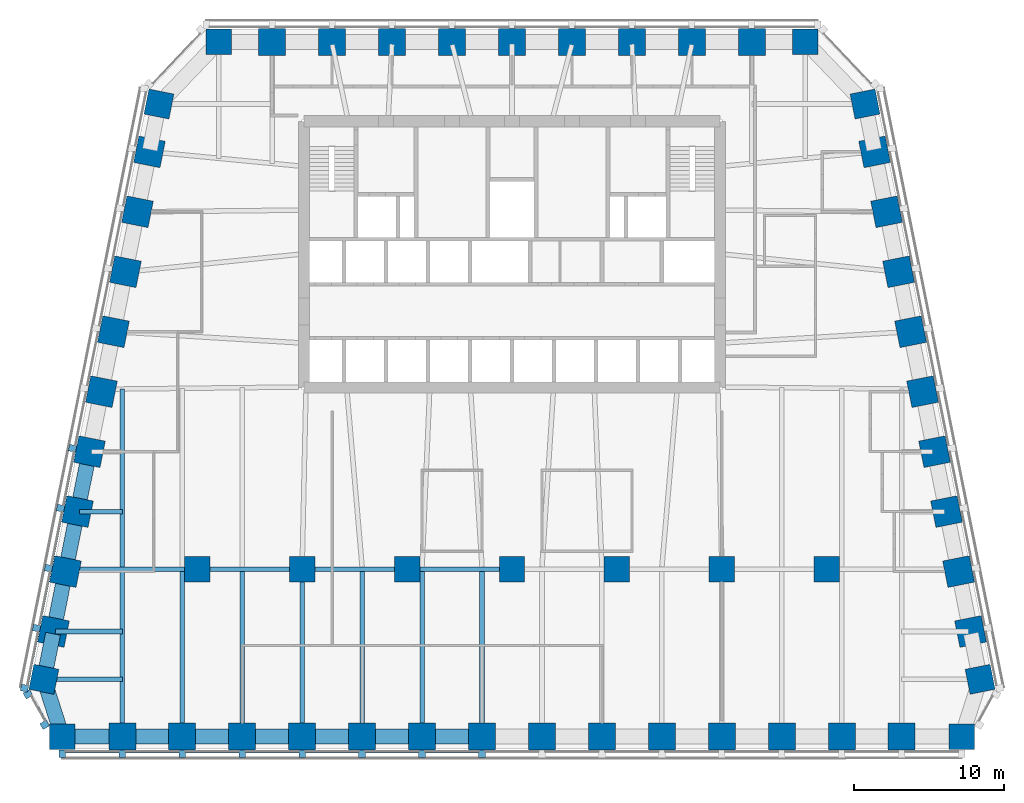
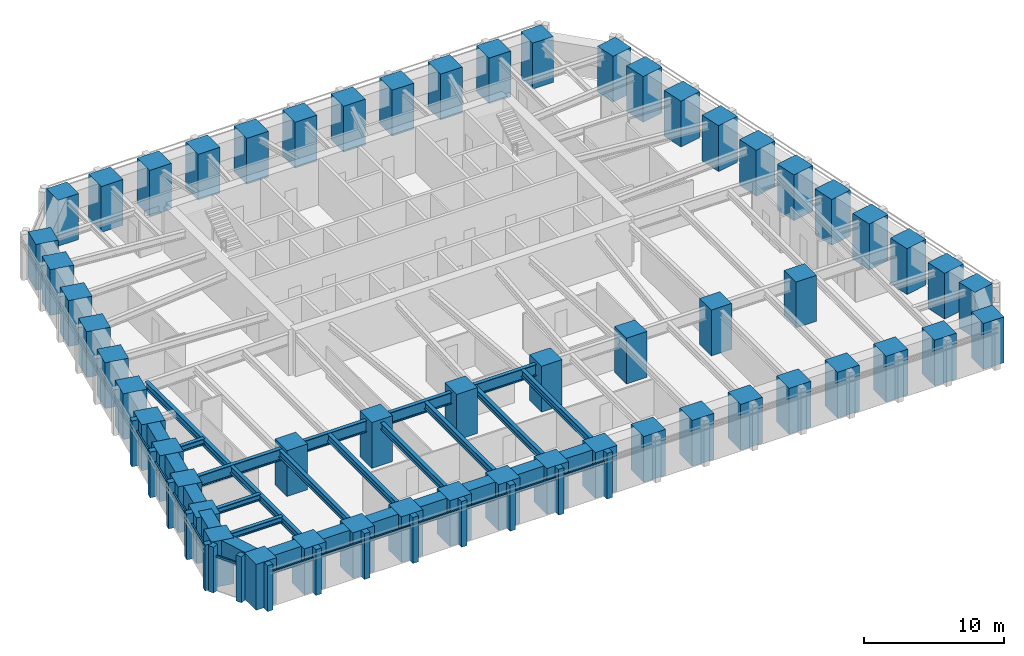
# One storey, part 1 of 10: 56 columns, 27 beams, 27 members, 3 elements without a shape of their own.
"""IFC4 building model written with IfcOpenShell, lengths in metres."""

import ifcopenshell
import ifcopenshell.guid

model = None  # the IFC model being written
_history = None  # IfcOwnerHistory: only IFC2X3 demands one
_inside = {}  # id of a spatial element -> (the spatial element, [elements in it])
_under = {}  # id of a project, library or spatial element -> (it, [spatial elements below it])
_declared = {}  # id of a project -> (the project, [libraries it declares])
_typed = {}  # id of a type object -> (the type object, [elements of that type])
_made_of = {}  # id of a material, layer set ... -> (it, [elements and type objects made of it])


def new_model(schema):
    """Start an empty IFC model of exactly this schema.

    Asked for "IFC4X3", IfcOpenShell would pick the latest addendum, in which some entities
    have other attributes; the version numbers below select the first issue.
    IFC2X3 requires an IfcOwnerHistory on every rooted entity: one is made here for all.
    """
    global model, _history
    if schema == "IFC4X3":
        model = ifcopenshell.file(schema_version=(4, 3, 0, 0))
    else:
        model = ifcopenshell.file(schema=schema)
    _inside.clear()
    _under.clear()
    _declared.clear()
    _typed.clear()
    _made_of.clear()
    _history = None
    if model.schema == "IFC2X3":
        org = make("IfcOrganization", Name="unknown")
        user = make(
            "IfcPersonAndOrganization",
            ThePerson=make("IfcPerson", FamilyName="unknown"),
            TheOrganization=org,
        )
        app = make(
            "IfcApplication",
            ApplicationDeveloper=org,
            Version="unknown",
            ApplicationFullName="unknown",
            ApplicationIdentifier="unknown",
        )
        _history = make(
            "IfcOwnerHistory",
            OwningUser=user,
            OwningApplication=app,
            ChangeAction="ADDED",
            CreationDate=0,
        )
    return model


def make(cls, **values):
    """One entity of the class cls with the attributes given. An attribute that is None is left unset."""
    return model.create_entity(
        cls, **{name: value for name, value in values.items() if value is not None}
    )


def rooted(cls, **values):
    """An entity with a GlobalId (a new one), such as an element, a storey or a relation."""
    return make(cls, GlobalId=ifcopenshell.guid.new(), OwnerHistory=_history, **values)


def si_unit(unit_type, name, prefix=None):
    """IfcSIUnit, for example si_unit("LENGTHUNIT", "METRE", prefix="MILLI")."""
    return make("IfcSIUnit", UnitType=unit_type, Prefix=prefix, Name=name)


def assignment(units):
    """IfcUnitAssignment: the units of a project."""
    return None if units is None else make("IfcUnitAssignment", Units=units)


def point(xyz):
    """IfcCartesianPoint."""
    return None if xyz is None else make("IfcCartesianPoint", Coordinates=xyz)


def direction(xyz):
    """IfcDirection."""
    return None if xyz is None else make("IfcDirection", DirectionRatios=xyz)


def frame(location, z_axis=None, x_axis=None):
    """IfcAxis2Placement3D, a coordinate frame: its origin and axes. An axis left out is left unset."""
    return make(
        "IfcAxis2Placement3D",
        Location=point(location),
        Axis=direction(z_axis),
        RefDirection=direction(x_axis),
    )


def frame_2d(location, x_axis=None):
    """IfcAxis2Placement2D, a coordinate frame in the plane: its origin and x axis."""
    return make(
        "IfcAxis2Placement2D", Location=point(location), RefDirection=direction(x_axis)
    )


def origin():
    """The frame at (0, 0, 0) with its axes left unset."""
    return frame((0.0, 0.0, 0.0))


def origin_2d():
    """The frame at (0, 0) in the plane with its x axis left unset."""
    return frame_2d((0.0, 0.0))


def place(relative_to, where):
    """IfcLocalPlacement: puts the frame where relative to a parent placement (None: the world)."""
    return make(
        "IfcLocalPlacement", PlacementRelTo=relative_to, RelativePlacement=where
    )


def context(
    kind, dimensions, precision=None, world=None, true_north=None, identifier=None
):
    """IfcGeometricRepresentationContext, for example the 3D "Model" context."""
    return make(
        "IfcGeometricRepresentationContext",
        ContextIdentifier=identifier,
        ContextType=kind,
        CoordinateSpaceDimension=dimensions,
        Precision=precision,
        WorldCoordinateSystem=world,
        TrueNorth=true_north,
    )


def subcontext(parent, identifier, kind, view, scale=None):
    """IfcGeometricRepresentationSubContext, for example "Body" below "Model"."""
    return make(
        "IfcGeometricRepresentationSubContext",
        ContextIdentifier=identifier,
        ContextType=kind,
        ParentContext=parent,
        TargetScale=scale,
        TargetView=view,
    )


def project(units=None, contexts=None):
    """IfcProject with its units and contexts."""
    return rooted(
        "IfcProject",
        Name="project",
        RepresentationContexts=contexts,
        UnitsInContext=assignment(units),
    )


def spatial(cls, under=None, at=None, **own):
    """A site, building, storey or space (cls), placed at a placement, below another one or the project."""
    s = rooted(cls, ObjectPlacement=at, **own)
    if under is not None:
        _under.setdefault(under.id(), (under, []))[1].append(s)
    return s


def profile(cls, at=None, kind="AREA", **sizes):
    """A parametric profile (cls). Its sizes go by their IFC names, for example OverallWidth=200.0."""
    return make(cls, ProfileType=kind, Position=at, **sizes)


def rectangle(**sizes):
    """IfcRectangleProfileDef."""
    return profile("IfcRectangleProfileDef", **sizes)


def i_section(**sizes):
    """IfcIShapeProfileDef."""
    return profile("IfcIShapeProfileDef", **sizes)


def extrude(swept, where, along, depth):
    """IfcExtrudedAreaSolid: the profile swept, set in the frame where, extruded along a direction by depth."""
    return make(
        "IfcExtrudedAreaSolid",
        SweptArea=swept,
        Position=where,
        ExtrudedDirection=direction(along),
        Depth=depth,
    )


def shape(context_of_items, identifier, shape_type, items):
    """IfcShapeRepresentation: the items that make up one representation, for example the "Body"."""
    return make(
        "IfcShapeRepresentation",
        ContextOfItems=context_of_items,
        RepresentationIdentifier=identifier,
        RepresentationType=shape_type,
        Items=items,
    )


def material(Name=None, Category=None):
    """IfcMaterial."""
    return make("IfcMaterial", Name=Name, Category=Category)


def material_profile(
    of_material, cross_section, Name=None, Category=None, Priority=None
):
    """IfcMaterialProfile: a cross section and its material."""
    return make(
        "IfcMaterialProfile",
        Name=Name,
        Material=of_material,
        Profile=cross_section,
        Priority=Priority,
        Category=Category,
    )


def profile_set(profiles, Name=None, composite=None):
    """IfcMaterialProfileSet."""
    return make(
        "IfcMaterialProfileSet",
        Name=Name,
        MaterialProfiles=profiles,
        CompositeProfile=composite,
    )


def made_of(thing, what):
    """Note that an element or type object is made of a material, layer set ...; save() writes the relation."""
    if what is not None:
        _made_of.setdefault(what.id(), (what, []))[1].append(thing)
    return thing


def type_object(cls, material=None, **own):
    """A type object (cls), such as IfcWallType, which elements share."""
    return made_of(rooted(cls, **own), material)


def element(
    cls,
    number,
    at=None,
    inside=None,
    cuts=None,
    type_object=None,
    material=None,
    context=None,
    identifier="Body",
    shape_type=None,
    held_by="IfcProductDefinitionShape",
    body=None,
    shapes=None,
    **own,
):
    """One element of the class cls, such as IfcWall. Its Tag is "e" and its number.

    at: its placement. inside: the storey or other place that contains it. cuts: it is an
    opening in that element (IfcRelVoidsElement). A single representation is given by context,
    identifier, shape_type and body (its items); several are given by shapes. held_by: the class
    of the entity that holds the representations. save() writes the other relations.
    """
    e = rooted(cls, Tag="e%d" % number, ObjectPlacement=at, **own)
    if body is not None:
        shapes = [shape(context, identifier, shape_type, body)]
    if shapes is not None:
        e.Representation = make(held_by, Representations=shapes)
    if inside is not None:
        _inside.setdefault(inside.id(), (inside, []))[1].append(e)
    if cuts is not None:
        rooted(
            "IfcRelVoidsElement", RelatingBuildingElement=cuts, RelatedOpeningElement=e
        )
    if type_object is not None:
        _typed.setdefault(type_object.id(), (type_object, []))[1].append(e)
    return made_of(e, material)


def aggregate(whole, parts):
    """IfcRelAggregates: a whole, such as a stair, and the parts it consists of."""
    return rooted("IfcRelAggregates", RelatingObject=whole, RelatedObjects=parts)


def save(model, path):
    """Write the relations noted so far, then the file.

    IfcRelAggregates (storeys below a building ...), IfcRelContainedInSpatialStructure (elements
    in a storey), IfcRelDefinesByType, IfcRelAssociatesMaterial and IfcRelDeclares: one each for
    every whole, place, type object, material and project.
    """
    for whole, parts in _under.values():
        aggregate(whole, parts)
    for where, things in _inside.values():
        rooted(
            "IfcRelContainedInSpatialStructure",
            RelatedElements=things,
            RelatingStructure=where,
        )
    for kind, things in _typed.values():
        rooted("IfcRelDefinesByType", RelatedObjects=things, RelatingType=kind)
    for what, things in _made_of.values():
        rooted("IfcRelAssociatesMaterial", RelatedObjects=things, RelatingMaterial=what)
    for by, libraries in _declared.values():
        rooted("IfcRelDeclares", RelatingContext=by, RelatedDefinitions=libraries)
    model.write(path)


model = new_model("IFC4")

# Units and contexts
model_context = context("Model", 3, precision=1e-05, world=origin(), true_north=direction((0.0, 1.0)))
body_context = subcontext(model_context, "Body", "Model", "MODEL_VIEW")
ifc_project = project(units=[si_unit("LENGTHUNIT", "METRE"), si_unit("AREAUNIT", "SQUARE_METRE"), si_unit("VOLUMEUNIT", "CUBIC_METRE"), si_unit("PLANEANGLEUNIT", "RADIAN"), si_unit("MASSUNIT", "GRAM", prefix="KILO")], contexts=[model_context])

# Site, building, storey
site_placement = place(None, origin())
site = spatial("IfcSite", under=ifc_project, at=site_placement, CompositionType="ELEMENT")
building_placement = place(site_placement, origin())
building = spatial("IfcBuilding", under=site, at=building_placement, Name="Isbrekke Arena Tower", CompositionType="ELEMENT")
storey_placement = place(building_placement, frame((0.0, 0.0, 163.0)))
storey = spatial("IfcBuildingStorey", under=building, at=storey_placement, Name="L37", CompositionType="ELEMENT", Elevation=163.0)

# Columns
ifc_material_1 = material(Name="Concrete B80 (C80/95)", Category="concrete")
ifc_material_profile_1 = material_profile(ifc_material_1, rectangle(XDim=1.699951171875, YDim=1.699951171875, at=origin_2d()), Name="RC 1700x1700")
ifc_profile_set_1 = profile_set([ifc_material_profile_1], Name="Concrete B80 (C80/95)")
column_type_1 = type_object("IfcColumnType", Name="C12 RC 1700 x 1700", PredefinedType="COLUMN", material=ifc_profile_set_1)
for number, where, z_axis, x_axis, name in (
    (1, (-21.0, -6.0, 0.0), (0.0, 0.0, 1.0), (1.0, 0.0, 0.0), "C12 I01"),
    (2, (-14.0, -6.0, 0.0), (0.0, 0.0, 1.0), (1.0, 0.0, 0.0), "C12 I02"),
    (3, (-7.0, -6.0, 0.0), (0.0, 0.0, 1.0), (1.0, 0.0, 0.0), "C12 I03"),
    (4, (0.0, -6.0, 0.0), (0.0, 0.0, 1.0), (1.0, 0.0, 0.0), "C12 I04"),
    (5, (7.0, -6.0, 0.0), (0.0, 0.0, 1.0), (1.0, 0.0, 0.0), "C12 I05"),
    (6, (14.0, -6.0, 0.0), (0.0, 0.0, 1.0), (1.0, 0.0, 0.0), "C12 I06"),
    (7, (21.0, -6.0, 0.0), (0.0, 0.0, 1.0), (1.0, 0.0, 0.0), "C12 I07"),
):
    element("IfcColumn", number, at=place(storey_placement, frame(where, z_axis=z_axis, x_axis=x_axis)), inside=storey, type_object=column_type_1, Name=name, PredefinedType="COLUMN", context=body_context, shape_type="SweptSolid", body=[
        extrude(rectangle(XDim=1.699951171875, YDim=1.699951171875, at=origin_2d()), origin(), (0.0, 0.0, 1.0), 4.0),
    ])
ifc_material_2 = material(Name="Concrete B80 (C80/95)", Category="concrete")
ifc_material_profile_2 = material_profile(ifc_material_2, rectangle(XDim=1.800048828125, YDim=1.800048828125, at=origin_2d()), Name="RC 1800x1800")
ifc_profile_set_2 = profile_set([ifc_material_profile_2], Name="Concrete B80 (C80/95)")
column_type_2 = type_object("IfcColumnType", Name="C3 RC 1800 x 1800", PredefinedType="COLUMN", material=ifc_profile_set_2)
for number, where, z_axis, x_axis, name in (
    (8, (-26.0, -17.175048828125, 0.0), (0.0, 0.0, 1.0), (1.0, 0.0, 0.0), "C3 S02"),
    (9, (-22.0, -17.175048828125, 0.0), (0.0, 0.0, 1.0), (1.0, 0.0, 0.0), "C3 S03"),
    (10, (-18.0, -17.175048828125, 0.0), (0.0, 0.0, 1.0), (1.0, 0.0, 0.0), "C3 S04"),
    (11, (-14.0, -17.175048828125, 0.0), (0.0, 0.0, 1.0), (1.0, 0.0, 0.0), "C3 S05"),
    (12, (-10.0, -17.175048828125, 0.0), (0.0, 0.0, 1.0), (1.0, 0.0, 0.0), "C3 S06"),
    (13, (-6.0, -17.175048828125, 0.0), (0.0, 0.0, 1.0), (1.0, 0.0, 0.0), "C3 S07"),
    (14, (-2.0, -17.175048828125, 0.0), (0.0, 0.0, 1.0), (1.0, 0.0, 0.0), "C3 S08"),
    (15, (2.0, -17.175048828125, 0.0), (0.0, 0.0, 1.0), (1.0, 0.0, 0.0), "C3 S09"),
    (16, (6.0, -17.175048828125, 0.0), (0.0, 0.0, 1.0), (1.0, 0.0, 0.0), "C3 S10"),
    (17, (10.0, -17.175048828125, 0.0), (0.0, 0.0, 1.0), (1.0, 0.0, 0.0), "C3 S11"),
    (18, (14.0, -17.175048828125, 0.0), (0.0, 0.0, 1.0), (1.0, 0.0, 0.0), "C3 S12"),
    (19, (18.0, -17.175048828125, 0.0), (0.0, 0.0, 1.0), (1.0, 0.0, 0.0), "C3 S13"),
    (20, (22.0, -17.175048828125, 0.0), (0.0, 0.0, 1.0), (1.0, 0.0, 0.0), "C3 S14"),
    (21, (26.0, -17.175048828125, 0.0), (0.0, 0.0, 1.0), (1.0, 0.0, 0.0), "C3 S15"),
    (22, (30.591064453125, -10.161865234375, 0.0), (0.0, 0.0, 1.0), (-0.196116135138, 0.980580675691, 0.0), "C3 E02"),
    (23, (29.791015625, -6.161865234375, 0.0), (0.0, 0.0, 1.0), (-0.196116135138, 0.980580675691, 0.0), "C3 E03"),
    (24, (28.990966796875, -2.161865234375, 0.0), (0.0, 0.0, 1.0), (-0.196116135138, 0.980580675691, 0.0), "C3 E04"),
    (25, (28.19091796875, 1.838134765625, 0.0), (0.0, 0.0, 1.0), (-0.196116135138, 0.980580675691, 0.0), "C3 E05"),
    (26, (27.39111328125, 5.838134765625, 0.0), (0.0, 0.0, 1.0), (-0.196116135138, 0.980580675691, 0.0), "C3 E06"),
    (27, (26.591064453125, 9.838134765625, 0.0), (0.0, 0.0, 1.0), (-0.196116135138, 0.980580675691, 0.0), "C3 E07"),
    (28, (25.791015625, 13.838134765625, 0.0), (0.0, 0.0, 1.0), (-0.196116135138, 0.980580675691, 0.0), "C3 E08"),
    (29, (24.990966796875, 17.838134765625, 0.0), (0.0, 0.0, 1.0), (-0.196116135138, 0.980580675691, 0.0), "C3 E09"),
    (30, (24.19091796875, 21.838134765625, 0.0), (0.0, 0.0, 1.0), (-0.196116135138, 0.980580675691, 0.0), "C3 E10"),
    (31, (16.0, 29.175048828125, 0.0), (0.0, 0.0, 1.0), (-1.0, 0.0, 0.0), "C3 N02"),
    (32, (12.0, 29.175048828125, 0.0), (0.0, 0.0, 1.0), (-1.0, 0.0, 0.0), "C3 N03"),
    (33, (8.0, 29.175048828125, 0.0), (0.0, 0.0, 1.0), (-1.0, 0.0, 0.0), "C3 N04"),
    (34, (4.0, 29.175048828125, 0.0), (0.0, 0.0, 1.0), (-1.0, 0.0, 0.0), "C3 N05"),
    (35, (0.0, 29.175048828125, 0.0), (0.0, 0.0, 1.0), (-1.0, 0.0, 0.0), "C3 N06"),
    (36, (-4.0, 29.175048828125, 0.0), (0.0, 0.0, 1.0), (-1.0, 0.0, 0.0), "C3 N07"),
    (37, (-8.0, 29.175048828125, 0.0), (0.0, 0.0, 1.0), (-1.0, 0.0, 0.0), "C3 N08"),
    (38, (-12.0, 29.175048828125, 0.0), (0.0, 0.0, 1.0), (-1.0, 0.0, 0.0), "C3 N09"),
    (39, (-16.0, 29.175048828125, 0.0), (0.0, 0.0, 1.0), (-1.0, 0.0, 0.0), "C3 N10"),
    (40, (-24.19091796875, 21.838134765625, 0.0), (0.0, 0.0, 1.0), (-0.196116135138, -0.980580675691, 0.0), "C3 W02"),
    (41, (-24.990966796875, 17.838134765625, 0.0), (0.0, 0.0, 1.0), (-0.196116135138, -0.980580675691, 0.0), "C3 W03"),
    (42, (-25.791015625, 13.838134765625, 0.0), (0.0, 0.0, 1.0), (-0.196116135138, -0.980580675691, 0.0), "C3 W04"),
    (43, (-26.591064453125, 9.838134765625, 0.0), (0.0, 0.0, 1.0), (-0.196116135138, -0.980580675691, 0.0), "C3 W05"),
    (44, (-27.39111328125, 5.838134765625, 0.0), (0.0, 0.0, 1.0), (-0.196116135138, -0.980580675691, 0.0), "C3 W06"),
    (45, (-28.19091796875, 1.838134765625, 0.0), (0.0, 0.0, 1.0), (-0.196116135138, -0.980580675691, 0.0), "C3 W07"),
    (46, (-28.990966796875, -2.161865234375, 0.0), (0.0, 0.0, 1.0), (-0.196116135138, -0.980580675691, 0.0), "C3 W08"),
    (47, (-29.791015625, -6.161865234375, 0.0), (0.0, 0.0, 1.0), (-0.196116135138, -0.980580675691, 0.0), "C3 W09"),
    (48, (-30.591064453125, -10.161865234375, 0.0), (0.0, 0.0, 1.0), (-0.196116135138, -0.980580675691, 0.0), "C3 W10"),
):
    element("IfcColumn", number, at=place(storey_placement, frame(where, z_axis=z_axis, x_axis=x_axis)), inside=storey, type_object=column_type_2, Name=name, PredefinedType="COLUMN", context=body_context, shape_type="SweptSolid", body=[
        extrude(rectangle(XDim=1.800048828125, YDim=1.800048828125, at=origin_2d()), origin(), (0.0, 0.0, 1.0), 4.0),
    ])
ifc_material_3 = material(Name="Concrete B80 (C80/95)", Category="concrete")
ifc_material_profile_3 = material_profile(ifc_material_3, rectangle(XDim=1.699951171875, YDim=1.699951171875, at=origin_2d()), Name="RC 1700x1700")
ifc_profile_set_3 = profile_set([ifc_material_profile_3], Name="Concrete B80 (C80/95)")
column_type_3 = type_object("IfcColumnType", Name="C7 RC 1700 x 1700", PredefinedType="COLUMN", material=ifc_profile_set_3)
for number, where, z_axis, x_axis, name in (
    (49, (-30.0, -17.175048828125, 0.0), (0.0, 0.0, 1.0), (1.0, 0.0, 0.0), "C7 S01"),
    (50, (30.0, -17.175048828125, 0.0), (0.0, 0.0, 1.0), (1.0, 0.0, 0.0), "C7 S16"),
    (51, (31.229248046875, -13.352783203125, 0.0), (0.0, 0.0, 1.0), (-0.196116135138, 0.980580675691, 0.0), "C7 E01"),
    (52, (23.552734375, 25.029296875, 0.0), (0.0, 0.0, 1.0), (-0.196116135138, 0.980580675691, 0.0), "C7 E11"),
    (53, (19.574951171875, 29.175048828125, 0.0), (0.0, 0.0, 1.0), (-1.0, 0.0, 0.0), "C7 N01"),
    (54, (-19.574951171875, 29.175048828125, 0.0), (0.0, 0.0, 1.0), (-1.0, 0.0, 0.0), "C7 N11"),
    (55, (-23.552734375, 25.029296875, 0.0), (0.0, 0.0, 1.0), (-0.196116135138, -0.980580675691, 0.0), "C7 W01"),
    (56, (-31.229248046875, -13.352783203125, 0.0), (0.0, 0.0, 1.0), (-0.196116135138, -0.980580675691, 0.0), "C7 W11"),
):
    element("IfcColumn", number, at=place(storey_placement, frame(where, z_axis=z_axis, x_axis=x_axis)), inside=storey, type_object=column_type_3, Name=name, PredefinedType="COLUMN", context=body_context, shape_type="SweptSolid", body=[
        extrude(rectangle(XDim=1.699951171875, YDim=1.699951171875, at=origin_2d()), origin(), (0.0, 0.0, 1.0), 4.0),
    ])

# Beams
ifc_material_4 = material(Name="Steel S355", Category="steel")
ifc_material_profile_4 = material_profile(ifc_material_4, i_section(OverallWidth=0.304931640625, OverallDepth=0.6201171875, WebThickness=0.02099609375, FlangeThickness=0.0400390625, FilletRadius=0.027099609375, at=origin_2d()), Name="HEM 600")
ifc_profile_set_4 = profile_set([ifc_material_profile_4], Name="Steel S355")
beam_type_1 = type_object("IfcBeamType", Name="B4 HEM 600", PredefinedType="BEAM", material=ifc_profile_set_4)
for number, where, z_axis, x_axis, name in (
    (57, (-26.0, -17.02490234375, 3.43994140625), (0.0, 1.0, 0.0), (-1.0, 0.0, 0.0), "B4 beam S-S02 L37"),
    (58, (-22.0, -17.02490234375, 3.43994140625), (0.0, 1.0, 0.0), (-1.0, 0.0, 0.0), "B4 beam S-S03 L37"),
    (59, (-18.0, -17.02490234375, 3.43994140625), (0.0, 1.0, 0.0), (-1.0, 0.0, 0.0), "B4 beam S-S04 L37"),
):
    element("IfcBeam", number, at=place(storey_placement, frame(where, z_axis=z_axis, x_axis=x_axis)), inside=storey, type_object=beam_type_1, Name=name, PredefinedType="BEAM", context=body_context, shape_type="SweptSolid", body=[
        extrude(i_section(OverallWidth=0.304931640625, OverallDepth=0.6201171875, WebThickness=0.02099609375, FlangeThickness=0.0400390625, FilletRadius=0.027099609375, at=origin_2d()), origin(), (0.0, 0.0, 1.0), 10.8740234375),
    ])
beam_1_placement = place(storey_placement, frame((-14.0, -17.02490234375, 3.43994140625), z_axis=(0.0, 1.0, 0.0), x_axis=(-1.0, 0.0, 0.0)))
element("IfcBeam", 60, at=beam_1_placement, inside=storey, type_object=beam_type_1, Name="B4 beam S-S05 L37", PredefinedType="BEAM", context=body_context, shape_type="SweptSolid", body=[
    extrude(i_section(OverallWidth=0.304931640625, OverallDepth=0.6201171875, WebThickness=0.02099609375, FlangeThickness=0.0400390625, FilletRadius=0.027099609375, at=origin_2d()), origin(), (0.0, 0.0, 1.0), 10.875),
])
for number, where, z_axis, x_axis, name in (
    (61, (-10.0, -17.02490234375, 3.43994140625), (0.0, 1.0, 0.0), (-1.0, 0.0, 0.0), "B4 beam S-S06 L37"),
    (62, (-6.0, -17.02490234375, 3.43994140625), (0.0, 1.0, 0.0), (-1.0, 0.0, 0.0), "B4 beam S-S07 L37"),
    (63, (-2.0, -17.02490234375, 3.43994140625), (0.0, 1.0, 0.0), (-1.0, 0.0, 0.0), "B4 beam S-S08 L37"),
):
    element("IfcBeam", number, at=place(storey_placement, frame(where, z_axis=z_axis, x_axis=x_axis)), inside=storey, type_object=beam_type_1, Name=name, PredefinedType="BEAM", context=body_context, shape_type="SweptSolid", body=[
        extrude(i_section(OverallWidth=0.304931640625, OverallDepth=0.6201171875, WebThickness=0.02099609375, FlangeThickness=0.0400390625, FilletRadius=0.027099609375, at=origin_2d()), origin(), (0.0, 0.0, 1.0), 10.8740234375),
    ])
beam_2_placement = place(storey_placement, frame((-26.0, -5.84912109375, 3.43994140625), z_axis=(0.0, 1.0, 0.0), x_axis=(-1.0, 0.0, 0.0)))
element("IfcBeam", 64, at=beam_2_placement, inside=storey, type_object=beam_type_1, Name="B4 beam C-M01 L37", PredefinedType="BEAM", context=body_context, shape_type="SweptSolid", body=[
    extrude(i_section(OverallWidth=0.304931640625, OverallDepth=0.6201171875, WebThickness=0.02099609375, FlangeThickness=0.0400390625, FilletRadius=0.027099609375, at=origin_2d()), origin(), (0.0, 0.0, 1.0), 11.864990234375),
])
ifc_material_5 = material(Name="Steel S355", Category="steel")
ifc_material_profile_5 = material_profile(ifc_material_5, i_section(OverallWidth=0.305908203125, OverallDepth=0.52392578125, WebThickness=0.02099609375, FlangeThickness=0.0400390625, FilletRadius=0.027099609375, at=origin_2d()), Name="HEM 500")
ifc_profile_set_5 = profile_set([ifc_material_profile_5], Name="Steel S355")
beam_type_2 = type_object("IfcBeamType", Name="B5 HEM 500", PredefinedType="BEAM", material=ifc_profile_set_5)
beam_3_placement = place(storey_placement, frame((-28.841064453125, -2.161865234375, 3.488037109375), z_axis=(1.0, 0.0, 0.0), x_axis=(0.0, 1.0, 0.0)))
element("IfcBeam", 65, at=beam_3_placement, inside=storey, type_object=beam_type_2, Name="B5 beam E-W08 L37", PredefinedType="BEAM", context=body_context, shape_type="SweptSolid", body=[
    extrude(i_section(OverallWidth=0.305908203125, OverallDepth=0.52392578125, WebThickness=0.02099609375, FlangeThickness=0.0400390625, FilletRadius=0.027099609375, at=origin_2d()), origin(), (0.0, 0.0, 1.0), 2.841064453125),
])
beam_4_placement = place(storey_placement, frame((-30.44091796875, -10.161865234375, 3.488037109375), z_axis=(1.0, 0.0, 0.0), x_axis=(0.0, 1.0, 0.0)))
element("IfcBeam", 66, at=beam_4_placement, inside=storey, type_object=beam_type_2, Name="B5 beam E-W10 L37", PredefinedType="BEAM", context=body_context, shape_type="SweptSolid", body=[
    extrude(i_section(OverallWidth=0.305908203125, OverallDepth=0.52392578125, WebThickness=0.02099609375, FlangeThickness=0.0400390625, FilletRadius=0.027099609375, at=origin_2d()), origin(), (0.0, 0.0, 1.0), 4.44091796875),
])
beam_5_placement = place(storey_placement, frame((-31.079345703125, -13.352783203125, 3.488037109375), z_axis=(1.0, 0.0, 0.0), x_axis=(0.0, 1.0, 0.0)))
element("IfcBeam", 67, at=beam_5_placement, inside=storey, type_object=beam_type_2, Name="B5 beam E-W11 L37", PredefinedType="BEAM", context=body_context, shape_type="SweptSolid", body=[
    extrude(i_section(OverallWidth=0.305908203125, OverallDepth=0.52392578125, WebThickness=0.02099609375, FlangeThickness=0.0400390625, FilletRadius=0.027099609375, at=origin_2d()), origin(), (0.0, 0.0, 1.0), 5.079345703125),
])

# Curtain wall, members
ifc_material_6 = material(Name="Glazed aluminium curtain wall", Category="aluminium")
curtain_wall_type = type_object("IfcCurtainWallType", Name="CWM TOWER CURTAIN WALL MID ZONE", PredefinedType="USERDEFINED", material=ifc_material_6)
curtain_wall_1_placement = place(storey_placement, origin())
curtain_wall_1 = element("IfcCurtainWall", 68, at=curtain_wall_1_placement, inside=storey, type_object=curtain_wall_type, Name="CWM curtain wall L37-S", ObjectType="TOWER CURTAIN WALL MID ZONE", PredefinedType="USERDEFINED")
ifc_material_7 = material(Name="Aluminium mullion, pale brick slip cladding", Category="masonry")
ifc_material_profile_6 = material_profile(ifc_material_7, rectangle(XDim=0.449951171875, YDim=0.5, at=origin_2d()), Name="PIER 450X500")
ifc_profile_set_6 = profile_set([ifc_material_profile_6], Name="Aluminium mullion, pale brick slip cladding")
member_type_1 = type_object("IfcMemberType", Name="CWM-M PIER MULLION 450 x 500", PredefinedType="MULLION", material=ifc_profile_set_6)
member_1_placement = place(storey_placement, frame((-30.0, -18.324951171875, 0.0), z_axis=(0.0, 0.0, 1.0), x_axis=(1.0, 0.0, 0.0)))
member_1 = element("IfcMember", 69, at=member_1_placement, type_object=member_type_1, Name="CWM-M mullion 1", PredefinedType="MULLION", context=body_context, shape_type="SweptSolid", body=[
    extrude(rectangle(XDim=0.449951171875, YDim=0.5, at=origin_2d()), origin(), (0.0, 0.0, 1.0), 4.0),
])
member_2_placement = place(storey_placement, frame((-26.0, -18.324951171875, 0.0), z_axis=(0.0, 0.0, 1.0), x_axis=(1.0, 0.0, 0.0)))
member_2 = element("IfcMember", 70, at=member_2_placement, type_object=member_type_1, Name="CWM-M mullion 2", PredefinedType="MULLION", context=body_context, shape_type="SweptSolid", body=[
    extrude(rectangle(XDim=0.449951171875, YDim=0.5, at=origin_2d()), origin(), (0.0, 0.0, 1.0), 4.0),
])
member_3_placement = place(storey_placement, frame((-22.0, -18.324951171875, 0.0), z_axis=(0.0, 0.0, 1.0), x_axis=(1.0, 0.0, 0.0)))
member_3 = element("IfcMember", 71, at=member_3_placement, type_object=member_type_1, Name="CWM-M mullion 3", PredefinedType="MULLION", context=body_context, shape_type="SweptSolid", body=[
    extrude(rectangle(XDim=0.449951171875, YDim=0.5, at=origin_2d()), origin(), (0.0, 0.0, 1.0), 4.0),
])
member_4_placement = place(storey_placement, frame((-18.0, -18.324951171875, 0.0), z_axis=(0.0, 0.0, 1.0), x_axis=(1.0, 0.0, 0.0)))
member_4 = element("IfcMember", 72, at=member_4_placement, type_object=member_type_1, Name="CWM-M mullion 4", PredefinedType="MULLION", context=body_context, shape_type="SweptSolid", body=[
    extrude(rectangle(XDim=0.449951171875, YDim=0.5, at=origin_2d()), origin(), (0.0, 0.0, 1.0), 4.0),
])
member_5_placement = place(storey_placement, frame((-14.0, -18.324951171875, 0.0), z_axis=(0.0, 0.0, 1.0), x_axis=(1.0, 0.0, 0.0)))
member_5 = element("IfcMember", 73, at=member_5_placement, type_object=member_type_1, Name="CWM-M mullion 5", PredefinedType="MULLION", context=body_context, shape_type="SweptSolid", body=[
    extrude(rectangle(XDim=0.449951171875, YDim=0.5, at=origin_2d()), origin(), (0.0, 0.0, 1.0), 4.0),
])
member_6_placement = place(storey_placement, frame((-10.0, -18.324951171875, 0.0), z_axis=(0.0, 0.0, 1.0), x_axis=(1.0, 0.0, 0.0)))
member_6 = element("IfcMember", 74, at=member_6_placement, type_object=member_type_1, Name="CWM-M mullion 6", PredefinedType="MULLION", context=body_context, shape_type="SweptSolid", body=[
    extrude(rectangle(XDim=0.449951171875, YDim=0.5, at=origin_2d()), origin(), (0.0, 0.0, 1.0), 4.0),
])
member_7_placement = place(storey_placement, frame((-6.0, -18.324951171875, 0.0), z_axis=(0.0, 0.0, 1.0), x_axis=(1.0, 0.0, 0.0)))
member_7 = element("IfcMember", 75, at=member_7_placement, type_object=member_type_1, Name="CWM-M mullion 7", PredefinedType="MULLION", context=body_context, shape_type="SweptSolid", body=[
    extrude(rectangle(XDim=0.449951171875, YDim=0.5, at=origin_2d()), origin(), (0.0, 0.0, 1.0), 4.0),
])
member_8_placement = place(storey_placement, frame((-2.0, -18.324951171875, 0.0), z_axis=(0.0, 0.0, 1.0), x_axis=(1.0, 0.0, 0.0)))
member_8 = element("IfcMember", 76, at=member_8_placement, type_object=member_type_1, Name="CWM-M mullion 8", PredefinedType="MULLION", context=body_context, shape_type="SweptSolid", body=[
    extrude(rectangle(XDim=0.449951171875, YDim=0.5, at=origin_2d()), origin(), (0.0, 0.0, 1.0), 4.0),
])

curtain_wall_2_placement = place(storey_placement, origin())
curtain_wall_2 = element("IfcCurtainWall", 77, at=curtain_wall_2_placement, inside=storey, type_object=curtain_wall_type, Name="CWM curtain wall L37-W", ObjectType="TOWER CURTAIN WALL MID ZONE", PredefinedType="USERDEFINED")
member_9_placement = place(storey_placement, frame((-29.318603515625, 2.063720703125, 0.0), z_axis=(0.0, 0.0, 1.0), x_axis=(-0.196116135138, -0.980580675691, 0.0)))
member_9 = element("IfcMember", 78, at=member_9_placement, type_object=member_type_1, Name="CWM-M mullion 7", PredefinedType="MULLION", context=body_context, shape_type="SweptSolid", body=[
    extrude(rectangle(XDim=0.449951171875, YDim=0.5, at=origin_2d()), origin(), (0.0, 0.0, 1.0), 4.0),
])
member_10_placement = place(storey_placement, frame((-30.11865234375, -1.936279296875, 0.0), z_axis=(0.0, 0.0, 1.0), x_axis=(-0.196116135138, -0.980580675691, 0.0)))
member_10 = element("IfcMember", 79, at=member_10_placement, type_object=member_type_1, Name="CWM-M mullion 8", PredefinedType="MULLION", context=body_context, shape_type="SweptSolid", body=[
    extrude(rectangle(XDim=0.449951171875, YDim=0.5, at=origin_2d()), origin(), (0.0, 0.0, 1.0), 4.0),
])
member_11_placement = place(storey_placement, frame((-30.918701171875, -5.936279296875, 0.0), z_axis=(0.0, 0.0, 1.0), x_axis=(-0.196116135138, -0.980580675691, 0.0)))
member_11 = element("IfcMember", 80, at=member_11_placement, type_object=member_type_1, Name="CWM-M mullion 9", PredefinedType="MULLION", context=body_context, shape_type="SweptSolid", body=[
    extrude(rectangle(XDim=0.449951171875, YDim=0.5, at=origin_2d()), origin(), (0.0, 0.0, 1.0), 4.0),
])
member_12_placement = place(storey_placement, frame((-31.71875, -9.936279296875, 0.0), z_axis=(0.0, 0.0, 1.0), x_axis=(-0.196116135138, -0.980580675691, 0.0)))
member_12 = element("IfcMember", 81, at=member_12_placement, type_object=member_type_1, Name="CWM-M mullion 10", PredefinedType="MULLION", context=body_context, shape_type="SweptSolid", body=[
    extrude(rectangle(XDim=0.449951171875, YDim=0.5, at=origin_2d()), origin(), (0.0, 0.0, 1.0), 4.0),
])
member_13_placement = place(storey_placement, frame((-32.518798828125, -13.936279296875, 0.0), z_axis=(0.0, 0.0, 1.0), x_axis=(-0.196116135138, -0.980580675691, 0.0)))
member_13 = element("IfcMember", 82, at=member_13_placement, type_object=member_type_1, Name="CWM-M mullion 11", PredefinedType="MULLION", context=body_context, shape_type="SweptSolid", body=[
    extrude(rectangle(XDim=0.449951171875, YDim=0.5, at=origin_2d()), origin(), (0.0, 0.0, 1.0), 4.0),
])

curtain_wall_3_placement = place(storey_placement, origin())
curtain_wall_3 = element("IfcCurtainWall", 83, at=curtain_wall_3_placement, inside=storey, type_object=curtain_wall_type, Name="CWM curtain wall L37-WS", ObjectType="TOWER CURTAIN WALL MID ZONE", PredefinedType="USERDEFINED")
member_14_placement = place(storey_placement, frame((-32.29638671875, -14.34326171875, 0.0), z_axis=(0.0, 0.0, 1.0), x_axis=(0.481918749773, -0.876215908676, 0.0)))
member_14 = element("IfcMember", 84, at=member_14_placement, type_object=member_type_1, Name="CWM-M mullion 1", PredefinedType="MULLION", context=body_context, shape_type="SweptSolid", body=[
    extrude(rectangle(XDim=0.449951171875, YDim=0.5, at=origin_2d()), origin(), (0.0, 0.0, 1.0), 4.0),
])
member_15_placement = place(storey_placement, frame((-31.174560546875, -16.38330078125, 0.0), z_axis=(0.0, 0.0, 1.0), x_axis=(0.481918749773, -0.876215908676, 0.0)))
member_15 = element("IfcMember", 85, at=member_15_placement, type_object=member_type_1, Name="CWM-M mullion 2", PredefinedType="MULLION", context=body_context, shape_type="SweptSolid", body=[
    extrude(rectangle(XDim=0.449951171875, YDim=0.5, at=origin_2d()), origin(), (0.0, 0.0, 1.0), 4.0),
])

# Member
ifc_material_8 = material(Name="Aluminium transom", Category="aluminium")
ifc_material_profile_7 = material_profile(ifc_material_8, rectangle(XDim=0.1201171875, YDim=0.199951171875, at=origin_2d()), Name="TRANSOM 120X200")
ifc_profile_set_7 = profile_set([ifc_material_profile_7], Name="Aluminium transom")
member_type_2 = type_object("IfcMemberType", Name="CWM-T TRANSOM 120 x 200", PredefinedType="USERDEFINED", material=ifc_profile_set_7)
member_16_placement = place(storey_placement, frame((-29.77490234375, -18.175048828125, 3.0), z_axis=(1.0, 0.0, 0.0), x_axis=(0.0, 1.0, 0.0)))
member_16 = element("IfcMember", 86, at=member_16_placement, type_object=member_type_2, Name="CWM-T transom 1", ObjectType="TRANSOM", PredefinedType="USERDEFINED", context=body_context, shape_type="SweptSolid", body=[
    extrude(rectangle(XDim=0.1201171875, YDim=0.199951171875, at=origin_2d()), origin(), (0.0, 0.0, 1.0), 3.5498046875),
])

member_17_placement = place(storey_placement, frame((-25.77490234375, -18.175048828125, 3.0), z_axis=(1.0, 0.0, 0.0), x_axis=(0.0, 1.0, 0.0)))
member_17 = element("IfcMember", 87, at=member_17_placement, type_object=member_type_2, Name="CWM-T transom 2", ObjectType="TRANSOM", PredefinedType="USERDEFINED", context=body_context, shape_type="SweptSolid", body=[
    extrude(rectangle(XDim=0.1201171875, YDim=0.199951171875, at=origin_2d()), origin(), (0.0, 0.0, 1.0), 3.5498046875),
])

member_18_placement = place(storey_placement, frame((-21.77490234375, -18.175048828125, 3.0), z_axis=(1.0, 0.0, 0.0), x_axis=(0.0, 1.0, 0.0)))
member_18 = element("IfcMember", 88, at=member_18_placement, type_object=member_type_2, Name="CWM-T transom 3", ObjectType="TRANSOM", PredefinedType="USERDEFINED", context=body_context, shape_type="SweptSolid", body=[
    extrude(rectangle(XDim=0.1201171875, YDim=0.199951171875, at=origin_2d()), origin(), (0.0, 0.0, 1.0), 3.5498046875),
])

member_19_placement = place(storey_placement, frame((-17.77490234375, -18.175048828125, 3.0), z_axis=(1.0, 0.0, 0.0), x_axis=(0.0, 1.0, 0.0)))
member_19 = element("IfcMember", 89, at=member_19_placement, type_object=member_type_2, Name="CWM-T transom 4", ObjectType="TRANSOM", PredefinedType="USERDEFINED", context=body_context, shape_type="SweptSolid", body=[
    extrude(rectangle(XDim=0.1201171875, YDim=0.199951171875, at=origin_2d()), origin(), (0.0, 0.0, 1.0), 3.5498046875),
])

member_20_placement = place(storey_placement, frame((-13.77490234375, -18.175048828125, 3.0), z_axis=(1.0, 0.0, 0.0), x_axis=(0.0, 1.0, 0.0)))
member_20 = element("IfcMember", 90, at=member_20_placement, type_object=member_type_2, Name="CWM-T transom 5", ObjectType="TRANSOM", PredefinedType="USERDEFINED", context=body_context, shape_type="SweptSolid", body=[
    extrude(rectangle(XDim=0.1201171875, YDim=0.199951171875, at=origin_2d()), origin(), (0.0, 0.0, 1.0), 3.5498046875),
])

member_21_placement = place(storey_placement, frame((-9.77490234375, -18.175048828125, 3.0), z_axis=(1.0, 0.0, 0.0), x_axis=(0.0, 1.0, 0.0)))
member_21 = element("IfcMember", 91, at=member_21_placement, type_object=member_type_2, Name="CWM-T transom 6", ObjectType="TRANSOM", PredefinedType="USERDEFINED", context=body_context, shape_type="SweptSolid", body=[
    extrude(rectangle(XDim=0.1201171875, YDim=0.199951171875, at=origin_2d()), origin(), (0.0, 0.0, 1.0), 3.5498046875),
])

member_22_placement = place(storey_placement, frame((-5.77490234375, -18.175048828125, 3.0), z_axis=(1.0, 0.0, 0.0), x_axis=(0.0, 1.0, 0.0)))
member_22 = element("IfcMember", 92, at=member_22_placement, type_object=member_type_2, Name="CWM-T transom 7", ObjectType="TRANSOM", PredefinedType="USERDEFINED", context=body_context, shape_type="SweptSolid", body=[
    extrude(rectangle(XDim=0.1201171875, YDim=0.199951171875, at=origin_2d()), origin(), (0.0, 0.0, 1.0), 3.5498046875),
])

aggregate(curtain_wall_1, [member_1, member_2, member_3, member_4, member_5, member_6, member_7, member_8, member_16, member_17, member_18, member_19, member_20, member_21, member_22])

member_23_placement = place(storey_placement, frame((-29.2158203125, 1.813720703125, 3.0), z_axis=(-0.196090262229, -0.980585849918, 0.0), x_axis=(0.980585849918, -0.196090262229, 0.0)))
member_23 = element("IfcMember", 93, at=member_23_placement, type_object=member_type_2, Name="CWM-T transom 7", ObjectType="TRANSOM", PredefinedType="USERDEFINED", context=body_context, shape_type="SweptSolid", body=[
    extrude(rectangle(XDim=0.1201171875, YDim=0.199951171875, at=origin_2d()), origin(), (0.0, 0.0, 1.0), 3.62939453125),
])

member_24_placement = place(storey_placement, frame((-30.015625, -2.186279296875, 3.0), z_axis=(-0.196154943734, -0.980572913173, 0.0), x_axis=(0.980572913173, -0.196154943734, 0.0)))
member_24 = element("IfcMember", 94, at=member_24_placement, type_object=member_type_2, Name="CWM-T transom 8", ObjectType="TRANSOM", PredefinedType="USERDEFINED", context=body_context, shape_type="SweptSolid", body=[
    extrude(rectangle(XDim=0.1201171875, YDim=0.199951171875, at=origin_2d()), origin(), (0.0, 0.0, 1.0), 3.62939453125),
])

member_25_placement = place(storey_placement, frame((-30.815673828125, -6.186279296875, 3.0), z_axis=(-0.196154943734, -0.980572913173, 0.0), x_axis=(0.980572913173, -0.196154943734, 0.0)))
member_25 = element("IfcMember", 95, at=member_25_placement, type_object=member_type_2, Name="CWM-T transom 9", ObjectType="TRANSOM", PredefinedType="USERDEFINED", context=body_context, shape_type="SweptSolid", body=[
    extrude(rectangle(XDim=0.1201171875, YDim=0.199951171875, at=origin_2d()), origin(), (0.0, 0.0, 1.0), 3.62939453125),
])

member_26_placement = place(storey_placement, frame((-31.61572265625, -10.186279296875, 3.0), z_axis=(-0.196090262229, -0.980585849918, 0.0), x_axis=(0.980585849918, -0.196090262229, 0.0)))
member_26 = element("IfcMember", 96, at=member_26_placement, type_object=member_type_2, Name="CWM-T transom 10", ObjectType="TRANSOM", PredefinedType="USERDEFINED", context=body_context, shape_type="SweptSolid", body=[
    extrude(rectangle(XDim=0.1201171875, YDim=0.199951171875, at=origin_2d()), origin(), (0.0, 0.0, 1.0), 3.62939453125),
])

aggregate(curtain_wall_2, [member_9, member_10, member_11, member_12, member_13, member_23, member_24, member_25, member_26])

member_27_placement = place(storey_placement, frame((-32.056640625, -14.46826171875, 3.0), z_axis=(0.481918749772, -0.876215908677, 0.0), x_axis=(0.876215908677, 0.481918749772, 0.0)))
member_27 = element("IfcMember", 97, at=member_27_placement, type_object=member_type_2, Name="CWM-T transom 1", ObjectType="TRANSOM", PredefinedType="USERDEFINED", context=body_context, shape_type="SweptSolid", body=[
    extrude(rectangle(XDim=0.1201171875, YDim=0.199951171875, at=origin_2d()), origin(), (0.0, 0.0, 1.0), 1.8779296875),
])

aggregate(curtain_wall_3, [member_14, member_15, member_27])

# Beams
ifc_material_9 = material(Name="Steel S355", Category="steel")
ifc_material_profile_8 = material_profile(ifc_material_9, i_section(OverallWidth=0.302001953125, OverallDepth=1.008056640625, WebThickness=0.02099609375, FlangeThickness=0.0400390625, FilletRadius=0.030029296875, at=origin_2d()), Name="HEM 1000")
ifc_profile_set_8 = profile_set([ifc_material_profile_8], Name="Steel S355")
beam_type_3 = type_object("IfcBeamType", Name="G1 HEM 1000", PredefinedType="BEAM", material=ifc_profile_set_8)
beam_6_placement = place(storey_placement, frame((-29.791015625, -6.0, 3.24609375), z_axis=(1.0, 0.0, 0.0), x_axis=(0.0, 1.0, 0.0)))
element("IfcBeam", 98, at=beam_6_placement, inside=storey, type_object=beam_type_3, Name="G1 beam G1-01 L37", PredefinedType="BEAM", context=body_context, shape_type="SweptSolid", body=[
    extrude(i_section(OverallWidth=0.302001953125, OverallDepth=1.008056640625, WebThickness=0.02099609375, FlangeThickness=0.0400390625, FilletRadius=0.030029296875, at=origin_2d()), origin(), (0.0, 0.0, 1.0), 8.64111328125),
])
for number, where, z_axis, x_axis, name in (
    (99, (-20.85009765625, -6.0, 3.24609375), (1.0, 0.0, 0.0), (0.0, 1.0, 0.0), "G1 beam G1-02 L37"),
    (100, (-13.85009765625, -6.0, 3.24609375), (1.0, 0.0, 0.0), (0.0, 1.0, 0.0), "G1 beam G1-03 L37"),
    (101, (-6.85009765625, -6.0, 3.24609375), (1.0, 0.0, 0.0), (0.0, 1.0, 0.0), "G1 beam G1-04 L37"),
):
    element("IfcBeam", number, at=place(storey_placement, frame(where, z_axis=z_axis, x_axis=x_axis)), inside=storey, type_object=beam_type_3, Name=name, PredefinedType="BEAM", context=body_context, shape_type="SweptSolid", body=[
        extrude(i_section(OverallWidth=0.302001953125, OverallDepth=1.008056640625, WebThickness=0.02099609375, FlangeThickness=0.0400390625, FilletRadius=0.030029296875, at=origin_2d()), origin(), (0.0, 0.0, 1.0), 6.7001953125),
    ])
ifc_material_10 = material(Name="Concrete B80 (C80/95)", Category="concrete")
ifc_material_profile_9 = material_profile(ifc_material_10, rectangle(XDim=1.0, YDim=1.60009765625, at=origin_2d()), Name="RC 1000x1600")
ifc_profile_set_9 = profile_set([ifc_material_profile_9], Name="Concrete B80 (C80/95)")
beam_type_4 = type_object("IfcBeamType", Name="SB2 RC 1000 x 1600", PredefinedType="SPANDREL", material=ifc_profile_set_9)
for number, where, z_axis, x_axis, name in (
    (102, (-29.85009765625, -17.175048828125, 3.199951171875), (1.0, 0.0, 0.0), (0.0, 1.0, 0.0), "SB2 spandrel S01-S02 L37"),
    (103, (-25.85009765625, -17.175048828125, 3.199951171875), (1.0, 0.0, 0.0), (0.0, 1.0, 0.0), "SB2 spandrel S02-S03 L37"),
    (104, (-21.85009765625, -17.175048828125, 3.199951171875), (1.0, 0.0, 0.0), (0.0, 1.0, 0.0), "SB2 spandrel S03-S04 L37"),
    (105, (-17.85009765625, -17.175048828125, 3.199951171875), (1.0, 0.0, 0.0), (0.0, 1.0, 0.0), "SB2 spandrel S04-S05 L37"),
    (106, (-13.85009765625, -17.175048828125, 3.199951171875), (1.0, 0.0, 0.0), (0.0, 1.0, 0.0), "SB2 spandrel S05-S06 L37"),
    (107, (-9.85009765625, -17.175048828125, 3.199951171875), (1.0, 0.0, 0.0), (0.0, 1.0, 0.0), "SB2 spandrel S06-S07 L37"),
    (108, (-5.85009765625, -17.175048828125, 3.199951171875), (1.0, 0.0, 0.0), (0.0, 1.0, 0.0), "SB2 spandrel S07-S08 L37"),
):
    element("IfcBeam", number, at=place(storey_placement, frame(where, z_axis=z_axis, x_axis=x_axis)), inside=storey, type_object=beam_type_4, Name=name, PredefinedType="SPANDREL", context=body_context, shape_type="SweptSolid", body=[
        extrude(rectangle(XDim=1.0, YDim=1.60009765625, at=origin_2d()), origin(), (0.0, 0.0, 1.0), 3.7001953125),
    ])
for number, where, z_axis, x_axis, name in (
    (109, (-28.220458984375, 1.691162109375, 3.199951171875), (-0.196128558387, -0.980578190959, 0.0), (0.980578190959, -0.196128558387, 0.0), "SB2 spandrel W07-W08 L37"),
    (110, (-29.0205078125, -2.308837890625, 3.199951171875), (-0.196128558387, -0.980578190959, 0.0), (0.980578190959, -0.196128558387, 0.0), "SB2 spandrel W08-W09 L37"),
):
    element("IfcBeam", number, at=place(storey_placement, frame(where, z_axis=z_axis, x_axis=x_axis)), inside=storey, type_object=beam_type_4, Name=name, PredefinedType="SPANDREL", context=body_context, shape_type="SweptSolid", body=[
        extrude(rectangle(XDim=1.0, YDim=1.60009765625, at=origin_2d()), origin(), (0.0, 0.0, 1.0), 3.779296875),
    ])
beam_7_placement = place(storey_placement, frame((-29.820556640625, -6.308837890625, 3.199951171875), z_axis=(-0.1960664412, -0.980590613169, 0.0), x_axis=(0.980590613169, -0.1960664412, 0.0)))
element("IfcBeam", 111, at=beam_7_placement, inside=storey, type_object=beam_type_4, Name="SB2 spandrel W09-W10 L37", PredefinedType="SPANDREL", context=body_context, shape_type="SweptSolid", body=[
    extrude(rectangle(XDim=1.0, YDim=1.60009765625, at=origin_2d()), origin(), (0.0, 0.0, 1.0), 3.779052734375),
])
beam_8_placement = place(storey_placement, frame((-30.620361328125, -10.308837890625, 3.199951171875), z_axis=(-0.196100243168, -0.980583853951, 0.0), x_axis=(0.980583853951, -0.196100243168, 0.0)))
element("IfcBeam", 112, at=beam_8_placement, inside=storey, type_object=beam_type_4, Name="SB2 spandrel W10-W11 L37", PredefinedType="SPANDREL", context=body_context, shape_type="SweptSolid", body=[
    extrude(rectangle(XDim=1.0, YDim=1.60009765625, at=origin_2d()), origin(), (0.0, 0.0, 1.0), 2.954345703125),
])
beam_9_placement = place(storey_placement, frame((-31.183349609375, -13.49560546875, 3.199951171875), z_axis=(0.306175101476, -0.951975213562, 0.0), x_axis=(0.951975213562, 0.306175101476, 0.0)))
element("IfcBeam", 113, at=beam_9_placement, inside=storey, type_object=beam_type_4, Name="SB2 spandrel W11-S01 L37", PredefinedType="SPANDREL", context=body_context, shape_type="SweptSolid", body=[
    extrude(rectangle(XDim=1.0, YDim=1.60009765625, at=origin_2d()), origin(), (0.0, 0.0, 1.0), 3.715087890625),
])

save(model, "model.ifc")
